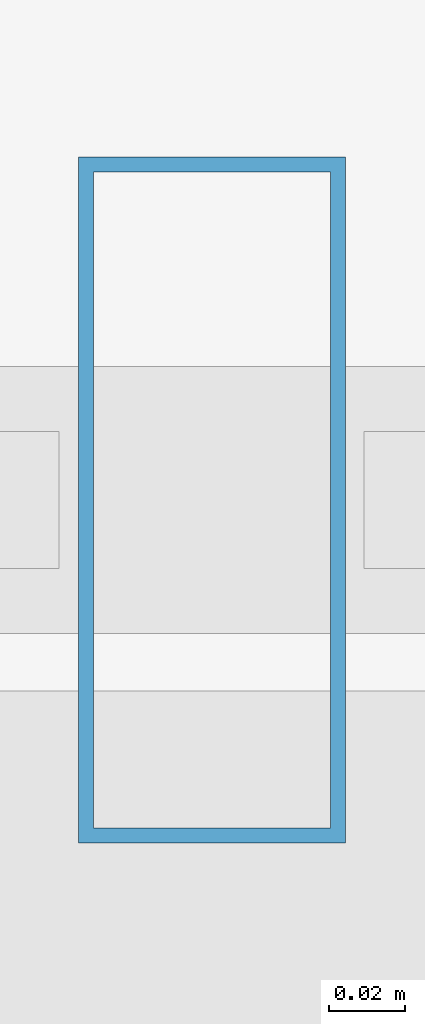
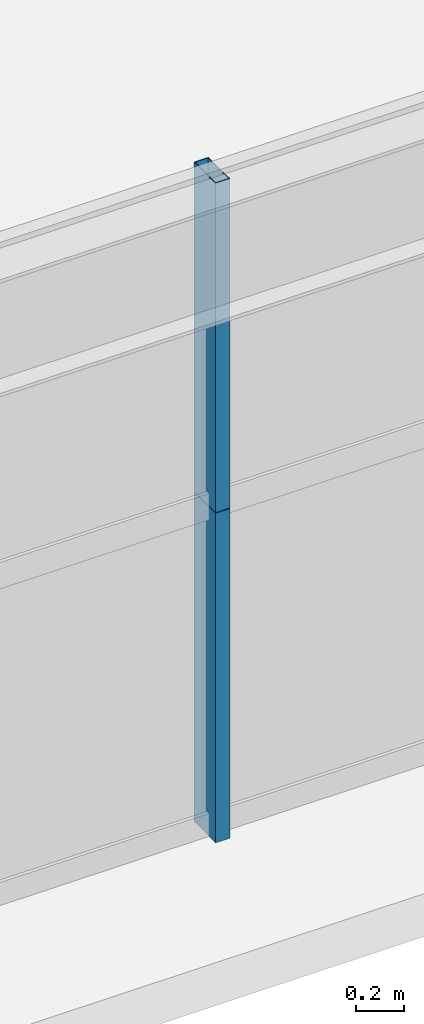
# One storey, part 14 of 43: 2 members, 1 element without a shape of its own.
"""IFC4 building model written with IfcOpenShell, lengths in metres."""

from ifc_helpers import new_model, si_unit, direction, frame, origin, origin_2d, place, context, subcontext, project, spatial, hollow_rectangle, extrude, source, transform, mapped, material, layer, layer_set, material_profile, profile_set, type_object, element, aggregate, save


model = new_model("IFC4")

# Units and contexts
model_context = context("Model", 3, precision=1e-05, world=origin(), true_north=direction((0.0, 1.0)))
body_context = subcontext(model_context, "Body", "Model", "MODEL_VIEW")
ifc_project = project(units=[si_unit("LENGTHUNIT", "METRE"), si_unit("AREAUNIT", "SQUARE_METRE"), si_unit("VOLUMEUNIT", "CUBIC_METRE"), si_unit("PLANEANGLEUNIT", "RADIAN"), si_unit("MASSUNIT", "GRAM", prefix="KILO"), si_unit("THERMODYNAMICTEMPERATUREUNIT", "KELVIN"), si_unit("POWERUNIT", "WATT")], contexts=[model_context])

# Site, building, storey
site_placement = place(None, origin())
site = spatial("IfcSite", under=ifc_project, at=site_placement, CompositionType="ELEMENT")
building_placement = place(site_placement, origin())
building = spatial("IfcBuilding", under=site, at=building_placement, Name="Yuzanri Waterfront Tower", CompositionType="ELEMENT")
storey_placement = place(building_placement, frame((0.0, 0.0, 71.199951171875)))
storey = spatial("IfcBuildingStorey", under=building, at=storey_placement, Name="L18", CompositionType="ELEMENT", Elevation=71.199951171875)

# Curtain wall, members
ifc_material_1 = material(Name="Anodized Architectural Bronze", Category="metal")
ifc_layer = layer(ifc_material_1, 0.159912109375)
ifc_layer_set = layer_set([ifc_layer], Name="Anodized Architectural Bronze")
curtain_wall_type = type_object("IfcCurtainWallType", Name="Anodized Bronze Hotel Lower-Tier Recessed Unitized Curtain Wall 8100", PredefinedType="NOTDEFINED", material=ifc_layer_set)
curtain_wall_placement = place(storey_placement, origin())
curtain_wall = element("IfcCurtainWall", 1, at=curtain_wall_placement, inside=storey, type_object=curtain_wall_type, Name="L18 Curtain Wall CW-L18-SR", PredefinedType="NOTDEFINED")
ifc_material_2 = material(Name="Anodized Architectural Bronze", Category="metal")
ifc_material_profile = material_profile(ifc_material_2, hollow_rectangle(XDim=0.070068359375, YDim=0.179931640625, WallThickness=0.00390625, at=origin_2d()), Name="CWM 70x180")
ifc_profile_set = profile_set([ifc_material_profile], Name="Anodized Architectural Bronze")
member_type = type_object("IfcMemberType", Name="Anodized Bronze Standard Curtain-Wall Mullion 70x180", PredefinedType="MULLION", material=ifc_profile_set)
shared_shape = source(origin(), body_context, "Body", "SweptSolid", [
    extrude(hollow_rectangle(XDim=0.070068359375, YDim=0.179931640625, WallThickness=0.00390625, at=origin_2d()), origin(), (0.0, 0.0, 1.0), 1.68798828125),
])
member_1_placement = place(storey_placement, frame((46.10009765625, 0.85009765625, 0.0), z_axis=(0.0, 0.0, 1.0), x_axis=(1.0, 0.0, 0.0)))
member_1 = element("IfcMember", 2, at=member_1_placement, type_object=member_type, Name="CW-L18-SR Lower Mullion 01", PredefinedType="MULLION", context=body_context, shape_type="MappedRepresentation", body=[
    mapped(shared_shape, transform((0.0, 0.0, 0.0), scale=1.0)),
])
member_2_placement = place(storey_placement, frame((46.10009765625, 0.85009765625, 1.692138671875), z_axis=(0.0, 0.0, 1.0), x_axis=(1.0, 0.0, 0.0)))
member_2 = element("IfcMember", 3, at=member_2_placement, type_object=member_type, Name="CW-L18-SR Upper Mullion 01", PredefinedType="MULLION", context=body_context, shape_type="MappedRepresentation", body=[
    mapped(shared_shape, transform((0.0, 0.0, 0.0), scale=1.0)),
])
aggregate(curtain_wall, [member_1, member_2])

save(model, "model.ifc")
